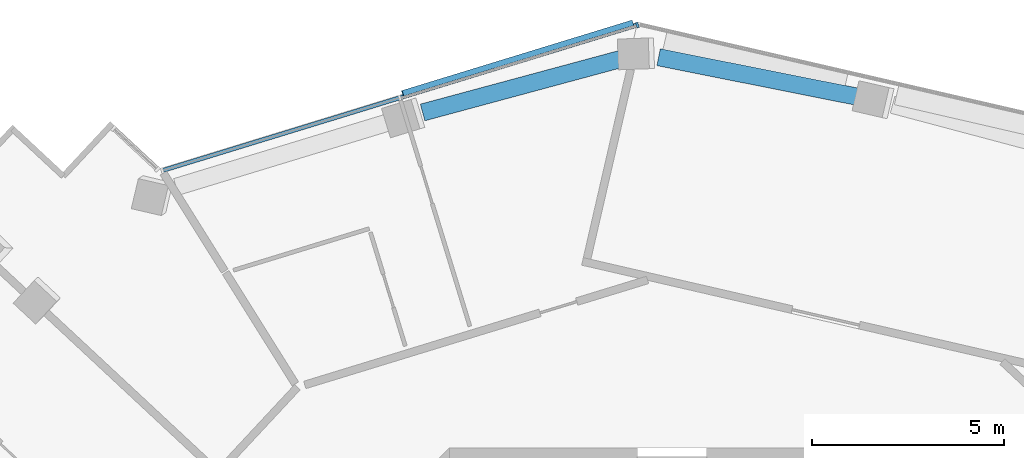
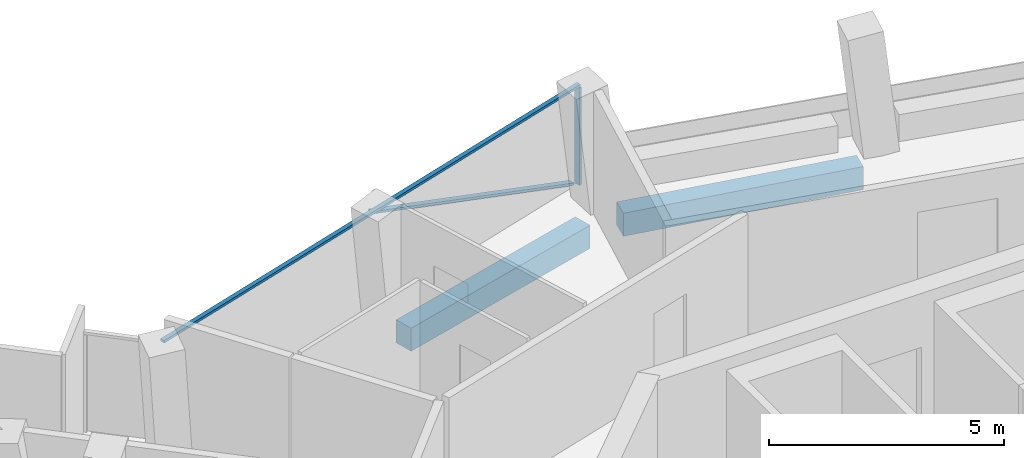
# One storey, part 7 of 21: 3 members, 2 beams, 1 element without a shape of its own.
"""IFC4 building model written with IfcOpenShell, lengths in metres."""

from ifc_helpers import new_model, si_unit, direction, frame, origin, origin_2d, place, context, subcontext, project, spatial, rectangle, extrude, material, layer, layer_set, material_profile, profile_set, type_object, element, aggregate, save


model = new_model("IFC4")

# Units and contexts
model_context = context("Model", 3, precision=1e-05, world=origin(), true_north=direction((0.0, 1.0)))
body_context = subcontext(model_context, "Body", "Model", "MODEL_VIEW")
ifc_project = project(units=[si_unit("LENGTHUNIT", "METRE"), si_unit("AREAUNIT", "SQUARE_METRE"), si_unit("VOLUMEUNIT", "CUBIC_METRE"), si_unit("PLANEANGLEUNIT", "RADIAN"), si_unit("MASSUNIT", "GRAM", prefix="KILO")], contexts=[model_context])

# Site, building, storey
site_placement = place(None, origin())
site = spatial("IfcSite", under=ifc_project, at=site_placement, CompositionType="ELEMENT")
building_placement = place(site_placement, origin())
building = spatial("IfcBuilding", under=site, at=building_placement, Name="Verdalira Terraces Hotel", CompositionType="ELEMENT")
storey_placement = place(building_placement, frame((0.0, 0.0, 227.0)))
storey = spatial("IfcBuildingStorey", under=building, at=storey_placement, Name="L55", CompositionType="ELEMENT", Elevation=227.0)

# Curtain wall, members
ifc_material_1 = material(Name="Clear glass", Category="glass")
ifc_layer = layer(ifc_material_1, 0.14990234375)
ifc_layer_set = layer_set([ifc_layer], Name="CW1 curtain wall")
curtain_wall_type = type_object("IfcCurtainWallType", Name="CW1 curtain wall", PredefinedType="NOTDEFINED", material=ifc_layer_set)
curtain_wall_placement = place(storey_placement, origin())
curtain_wall = element("IfcCurtainWall", 1, at=curtain_wall_placement, inside=storey, type_object=curtain_wall_type, Name="CW1 curtain wall L55 edge 41", PredefinedType="NOTDEFINED")
ifc_material_2 = material(Name="Terracotta frame", Category="masonry")
ifc_material_profile_1 = material_profile(ifc_material_2, rectangle(XDim=0.060059, YDim=0.149902, at=origin_2d()), Name="MU 60x150")
ifc_profile_set_1 = profile_set([ifc_material_profile_1], Name="Terracotta frame")
member_type_1 = type_object("IfcMemberType", Name="CW1 mullion 60x150", PredefinedType="MULLION", material=ifc_profile_set_1)
member_1_placement = place(storey_placement, frame((-0.900635, 25.017578, 0.0), z_axis=(0.0, 0.0, 1.0), x_axis=(-0.956100409, -0.29303926, 0.0)))
member_1 = element("IfcMember", 2, at=member_1_placement, type_object=member_type_1, Name="CW1 mullion", PredefinedType="MULLION", context=body_context, shape_type="SweptSolid", body=[
    extrude(rectangle(XDim=0.060059, YDim=0.149902, at=origin_2d()), origin(), (0.0, 0.0, 1.0), 2.524902),
])
ifc_material_3 = material(Name="Terracotta frame", Category="masonry")
ifc_material_profile_2 = material_profile(ifc_material_3, rectangle(XDim=0.110107, YDim=0.064941, at=origin_2d()), Name="TR 65x110")
ifc_profile_set_2 = profile_set([ifc_material_profile_2], Name="Terracotta frame")
member_type_2 = type_object("IfcMemberType", Name="CW1 transom 65x110", PredefinedType="USERDEFINED", material=ifc_profile_set_2)
member_2_placement = place(storey_placement, frame((-0.87207, 25.026367, 2.557617), z_axis=(-0.956103678, -0.293028593, 0.0), x_axis=(0.293028593, -0.956103678, 0.0)))
member_2 = element("IfcMember", 3, at=member_2_placement, type_object=member_type_2, Name="CW1 transom", ObjectType="TRANSOM", PredefinedType="USERDEFINED", context=body_context, shape_type="SweptSolid", body=[
    extrude(rectangle(XDim=0.110107, YDim=0.064941, at=origin_2d()), origin(), (0.0, 0.0, 1.0), 12.999756),
])
ifc_material_4 = material(Name="Terracotta frame", Category="masonry")
ifc_material_profile_3 = material_profile(ifc_material_4, rectangle(XDim=0.149902, YDim=0.060059, at=origin_2d()), Name="GB 60x150")
ifc_profile_set_3 = profile_set([ifc_material_profile_3], Name="Terracotta frame")
member_type_3 = type_object("IfcMemberType", Name="Diagonal glazing bar 60x150", PredefinedType="USERDEFINED", material=ifc_profile_set_3)
member_3_placement = place(storey_placement, frame((-1.024902, 25.072754, 0.028564), z_axis=(-0.889567696, -0.272664428, 0.366501601), x_axis=(0.293056022, -0.956095271, 0.0)))
member_3 = element("IfcMember", 4, at=member_3_placement, type_object=member_type_3, Name="Diagonal glazing bar", ObjectType="GLAZING BAR", PredefinedType="USERDEFINED", context=body_context, shape_type="SweptSolid", body=[
    extrude(rectangle(XDim=0.149902, YDim=0.060059, at=origin_2d()), origin(), (0.0, 0.0, 1.0), 6.733398),
])
aggregate(curtain_wall, [member_1, member_2, member_3])

# Beams
ifc_material_5 = material(Name="Concrete C40", Category="concrete")
ifc_material_profile_4 = material_profile(ifc_material_5, rectangle(XDim=0.449951, YDim=0.600098, at=origin_2d()), Name="RC 450X600")
ifc_profile_set_4 = profile_set([ifc_material_profile_4], Name="Concrete C40")
beam_type = type_object("IfcBeamType", Name="Spandrel beam RC 450X600 C40", PredefinedType="SPANDREL", material=ifc_profile_set_4)
beam_1_placement = place(storey_placement, frame((4.942871, 23.126221, -0.610107), z_axis=(-0.980773414, 0.195149968, 0.0), x_axis=(-0.195149968, -0.980773414, 0.0)))
element("IfcBeam", 5, at=beam_1_placement, inside=storey, type_object=beam_type, Name="Spandrel beam B21", PredefinedType="SPANDREL", context=body_context, shape_type="SweptSolid", body=[
    extrude(rectangle(XDim=0.449951, YDim=0.600098, at=origin_2d()), origin(), (0.0, 0.0, 1.0), 5.394531),
])
beam_2_placement = place(storey_placement, frame((-1.283203, 24.145508, -0.610107), z_axis=(-0.965467096, -0.260525021, 0.0), x_axis=(0.260525021, -0.965467096, 0.0)))
element("IfcBeam", 6, at=beam_2_placement, inside=storey, type_object=beam_type, Name="Spandrel beam B22", PredefinedType="SPANDREL", context=body_context, shape_type="SweptSolid", body=[
    extrude(rectangle(XDim=0.449951, YDim=0.600098, at=origin_2d()), origin(), (0.0, 0.0, 1.0), 5.396729),
])

save(model, "model.ifc")
